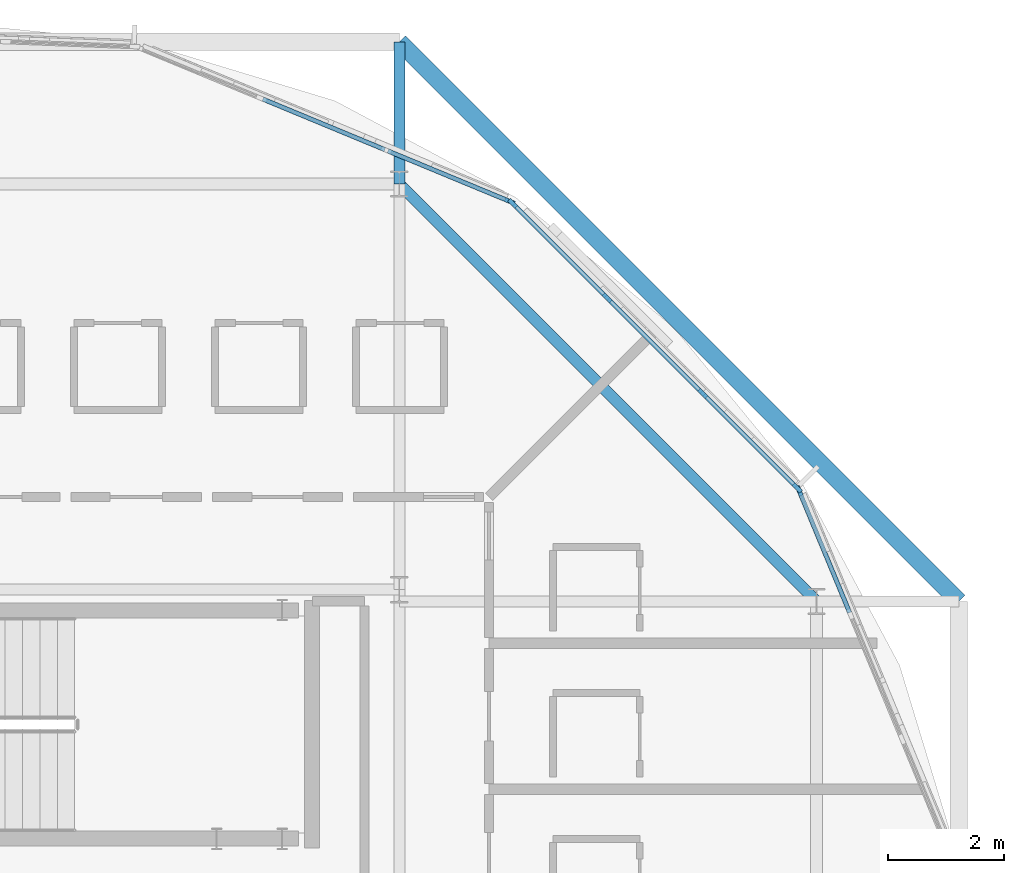
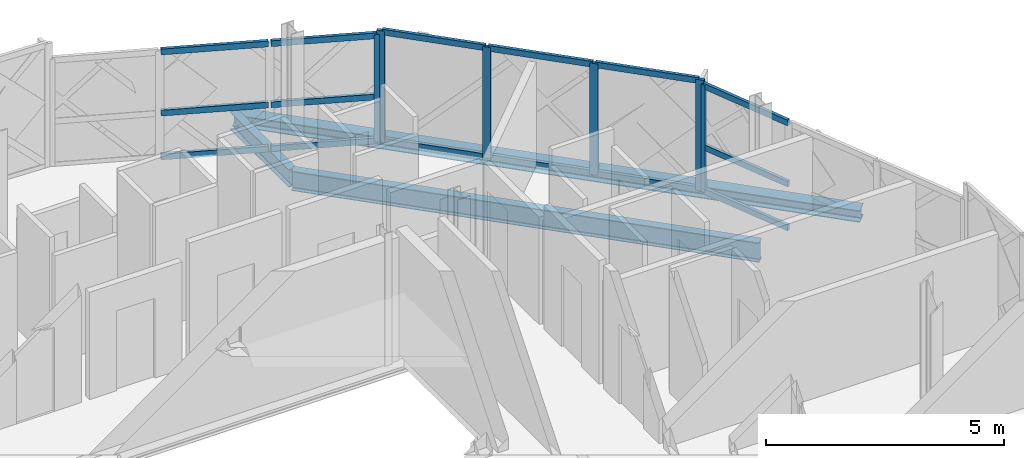
# One storey, part 10 of 24: 21 members, 3 beams, 3 elements without a shape of their own.
"""IFC4 building model written with IfcOpenShell, lengths in metres."""

import ifcopenshell
import ifcopenshell.guid

model = None  # the IFC model being written
_history = None  # IfcOwnerHistory: only IFC2X3 demands one
_inside = {}  # id of a spatial element -> (the spatial element, [elements in it])
_under = {}  # id of a project, library or spatial element -> (it, [spatial elements below it])
_declared = {}  # id of a project -> (the project, [libraries it declares])
_typed = {}  # id of a type object -> (the type object, [elements of that type])
_made_of = {}  # id of a material, layer set ... -> (it, [elements and type objects made of it])


def new_model(schema):
    """Start an empty IFC model of exactly this schema.

    Asked for "IFC4X3", IfcOpenShell would pick the latest addendum, in which some entities
    have other attributes; the version numbers below select the first issue.
    IFC2X3 requires an IfcOwnerHistory on every rooted entity: one is made here for all.
    """
    global model, _history
    if schema == "IFC4X3":
        model = ifcopenshell.file(schema_version=(4, 3, 0, 0))
    else:
        model = ifcopenshell.file(schema=schema)
    _inside.clear()
    _under.clear()
    _declared.clear()
    _typed.clear()
    _made_of.clear()
    _history = None
    if model.schema == "IFC2X3":
        org = make("IfcOrganization", Name="unknown")
        user = make(
            "IfcPersonAndOrganization",
            ThePerson=make("IfcPerson", FamilyName="unknown"),
            TheOrganization=org,
        )
        app = make(
            "IfcApplication",
            ApplicationDeveloper=org,
            Version="unknown",
            ApplicationFullName="unknown",
            ApplicationIdentifier="unknown",
        )
        _history = make(
            "IfcOwnerHistory",
            OwningUser=user,
            OwningApplication=app,
            ChangeAction="ADDED",
            CreationDate=0,
        )
    return model


def make(cls, **values):
    """One entity of the class cls with the attributes given. An attribute that is None is left unset."""
    return model.create_entity(
        cls, **{name: value for name, value in values.items() if value is not None}
    )


def rooted(cls, **values):
    """An entity with a GlobalId (a new one), such as an element, a storey or a relation."""
    return make(cls, GlobalId=ifcopenshell.guid.new(), OwnerHistory=_history, **values)


def si_unit(unit_type, name, prefix=None):
    """IfcSIUnit, for example si_unit("LENGTHUNIT", "METRE", prefix="MILLI")."""
    return make("IfcSIUnit", UnitType=unit_type, Prefix=prefix, Name=name)


def assignment(units):
    """IfcUnitAssignment: the units of a project."""
    return None if units is None else make("IfcUnitAssignment", Units=units)


def point(xyz):
    """IfcCartesianPoint."""
    return None if xyz is None else make("IfcCartesianPoint", Coordinates=xyz)


def direction(xyz):
    """IfcDirection."""
    return None if xyz is None else make("IfcDirection", DirectionRatios=xyz)


def frame(location, z_axis=None, x_axis=None):
    """IfcAxis2Placement3D, a coordinate frame: its origin and axes. An axis left out is left unset."""
    return make(
        "IfcAxis2Placement3D",
        Location=point(location),
        Axis=direction(z_axis),
        RefDirection=direction(x_axis),
    )


def frame_2d(location, x_axis=None):
    """IfcAxis2Placement2D, a coordinate frame in the plane: its origin and x axis."""
    return make(
        "IfcAxis2Placement2D", Location=point(location), RefDirection=direction(x_axis)
    )


def origin():
    """The frame at (0, 0, 0) with its axes left unset."""
    return frame((0.0, 0.0, 0.0))


def origin_2d():
    """The frame at (0, 0) in the plane with its x axis left unset."""
    return frame_2d((0.0, 0.0))


def place(relative_to, where):
    """IfcLocalPlacement: puts the frame where relative to a parent placement (None: the world)."""
    return make(
        "IfcLocalPlacement", PlacementRelTo=relative_to, RelativePlacement=where
    )


def context(
    kind, dimensions, precision=None, world=None, true_north=None, identifier=None
):
    """IfcGeometricRepresentationContext, for example the 3D "Model" context."""
    return make(
        "IfcGeometricRepresentationContext",
        ContextIdentifier=identifier,
        ContextType=kind,
        CoordinateSpaceDimension=dimensions,
        Precision=precision,
        WorldCoordinateSystem=world,
        TrueNorth=true_north,
    )


def subcontext(parent, identifier, kind, view, scale=None):
    """IfcGeometricRepresentationSubContext, for example "Body" below "Model"."""
    return make(
        "IfcGeometricRepresentationSubContext",
        ContextIdentifier=identifier,
        ContextType=kind,
        ParentContext=parent,
        TargetScale=scale,
        TargetView=view,
    )


def project(units=None, contexts=None):
    """IfcProject with its units and contexts."""
    return rooted(
        "IfcProject",
        Name="project",
        RepresentationContexts=contexts,
        UnitsInContext=assignment(units),
    )


def spatial(cls, under=None, at=None, **own):
    """A site, building, storey or space (cls), placed at a placement, below another one or the project."""
    s = rooted(cls, ObjectPlacement=at, **own)
    if under is not None:
        _under.setdefault(under.id(), (under, []))[1].append(s)
    return s


def profile(cls, at=None, kind="AREA", **sizes):
    """A parametric profile (cls). Its sizes go by their IFC names, for example OverallWidth=200.0."""
    return make(cls, ProfileType=kind, Position=at, **sizes)


def rectangle(**sizes):
    """IfcRectangleProfileDef."""
    return profile("IfcRectangleProfileDef", **sizes)


def i_section(**sizes):
    """IfcIShapeProfileDef."""
    return profile("IfcIShapeProfileDef", **sizes)


def extrude(swept, where, along, depth):
    """IfcExtrudedAreaSolid: the profile swept, set in the frame where, extruded along a direction by depth."""
    return make(
        "IfcExtrudedAreaSolid",
        SweptArea=swept,
        Position=where,
        ExtrudedDirection=direction(along),
        Depth=depth,
    )


def shape(context_of_items, identifier, shape_type, items):
    """IfcShapeRepresentation: the items that make up one representation, for example the "Body"."""
    return make(
        "IfcShapeRepresentation",
        ContextOfItems=context_of_items,
        RepresentationIdentifier=identifier,
        RepresentationType=shape_type,
        Items=items,
    )


def material(Name=None, Category=None):
    """IfcMaterial."""
    return make("IfcMaterial", Name=Name, Category=Category)


def layer(
    of_material, thickness, ventilated=None, Name=None, Category=None, Priority=None
):
    """IfcMaterialLayer: one layer of a wall or slab, of a material (None: an air gap)."""
    return make(
        "IfcMaterialLayer",
        Material=of_material,
        LayerThickness=thickness,
        IsVentilated=ventilated,
        Name=Name,
        Category=Category,
        Priority=Priority,
    )


def layer_set(layers, Name=None):
    """IfcMaterialLayerSet."""
    return make("IfcMaterialLayerSet", MaterialLayers=layers, LayerSetName=Name)


def material_profile(
    of_material, cross_section, Name=None, Category=None, Priority=None
):
    """IfcMaterialProfile: a cross section and its material."""
    return make(
        "IfcMaterialProfile",
        Name=Name,
        Material=of_material,
        Profile=cross_section,
        Priority=Priority,
        Category=Category,
    )


def profile_set(profiles, Name=None, composite=None):
    """IfcMaterialProfileSet."""
    return make(
        "IfcMaterialProfileSet",
        Name=Name,
        MaterialProfiles=profiles,
        CompositeProfile=composite,
    )


def made_of(thing, what):
    """Note that an element or type object is made of a material, layer set ...; save() writes the relation."""
    if what is not None:
        _made_of.setdefault(what.id(), (what, []))[1].append(thing)
    return thing


def type_object(cls, material=None, **own):
    """A type object (cls), such as IfcWallType, which elements share."""
    return made_of(rooted(cls, **own), material)


def element(
    cls,
    number,
    at=None,
    inside=None,
    cuts=None,
    type_object=None,
    material=None,
    context=None,
    identifier="Body",
    shape_type=None,
    held_by="IfcProductDefinitionShape",
    body=None,
    shapes=None,
    **own,
):
    """One element of the class cls, such as IfcWall. Its Tag is "e" and its number.

    at: its placement. inside: the storey or other place that contains it. cuts: it is an
    opening in that element (IfcRelVoidsElement). A single representation is given by context,
    identifier, shape_type and body (its items); several are given by shapes. held_by: the class
    of the entity that holds the representations. save() writes the other relations.
    """
    e = rooted(cls, Tag="e%d" % number, ObjectPlacement=at, **own)
    if body is not None:
        shapes = [shape(context, identifier, shape_type, body)]
    if shapes is not None:
        e.Representation = make(held_by, Representations=shapes)
    if inside is not None:
        _inside.setdefault(inside.id(), (inside, []))[1].append(e)
    if cuts is not None:
        rooted(
            "IfcRelVoidsElement", RelatingBuildingElement=cuts, RelatedOpeningElement=e
        )
    if type_object is not None:
        _typed.setdefault(type_object.id(), (type_object, []))[1].append(e)
    return made_of(e, material)


def aggregate(whole, parts):
    """IfcRelAggregates: a whole, such as a stair, and the parts it consists of."""
    return rooted("IfcRelAggregates", RelatingObject=whole, RelatedObjects=parts)


def save(model, path):
    """Write the relations noted so far, then the file.

    IfcRelAggregates (storeys below a building ...), IfcRelContainedInSpatialStructure (elements
    in a storey), IfcRelDefinesByType, IfcRelAssociatesMaterial and IfcRelDeclares: one each for
    every whole, place, type object, material and project.
    """
    for whole, parts in _under.values():
        aggregate(whole, parts)
    for where, things in _inside.values():
        rooted(
            "IfcRelContainedInSpatialStructure",
            RelatedElements=things,
            RelatingStructure=where,
        )
    for kind, things in _typed.values():
        rooted("IfcRelDefinesByType", RelatedObjects=things, RelatingType=kind)
    for what, things in _made_of.values():
        rooted("IfcRelAssociatesMaterial", RelatedObjects=things, RelatingMaterial=what)
    for by, libraries in _declared.values():
        rooted("IfcRelDeclares", RelatingContext=by, RelatedDefinitions=libraries)
    model.write(path)


model = new_model("IFC4")

# Units and contexts
model_context = context("Model", 3, precision=1e-05, world=origin(), true_north=direction((0.0, 1.0)))
body_context = subcontext(model_context, "Body", "Model", "MODEL_VIEW")
ifc_project = project(units=[si_unit("LENGTHUNIT", "METRE"), si_unit("AREAUNIT", "SQUARE_METRE"), si_unit("VOLUMEUNIT", "CUBIC_METRE"), si_unit("PLANEANGLEUNIT", "RADIAN"), si_unit("MASSUNIT", "GRAM", prefix="KILO")], contexts=[model_context])

# Site, building, storey
site_placement = place(None, origin())
site = spatial("IfcSite", under=ifc_project, at=site_placement, CompositionType="ELEMENT")
building_placement = place(site_placement, origin())
building = spatial("IfcBuilding", under=site, at=building_placement, Name="Zevrakil Square Congress Hotel", CompositionType="ELEMENT")
storey_placement = place(building_placement, frame((0.0, 0.0, 31.699951171875)))
storey = spatial("IfcBuildingStorey", under=building, at=storey_placement, Name="L09", CompositionType="ELEMENT", Elevation=31.699951171875)

# Beams
ifc_material_1 = material(Name="Steel S355", Category="steel")
ifc_material_profile_1 = material_profile(ifc_material_1, i_section(OverallWidth=0.18994140625, OverallDepth=0.449951171875, WebThickness=0.009521484375, FlangeThickness=0.0146484375, FilletRadius=0.02099609375, at=origin_2d()), Name="IPE 450")
ifc_profile_set_1 = profile_set([ifc_material_profile_1], Name="Steel S355")
beam_type_1 = type_object("IfcBeamType", Name="BM-IPE450", PredefinedType="BEAM", material=ifc_profile_set_1)
beam_1_placement = place(storey_placement, frame((156.0, 45.60009765625, -0.449951171875), z_axis=(0.0, 1.0, 0.0), x_axis=(-1.0, 0.0, 0.0)))
element("IfcBeam", 1, at=beam_1_placement, inside=storey, type_object=beam_type_1, Name="L09 drum radial edge cantilever beam DRO-09", PredefinedType="BEAM", context=body_context, shape_type="SweptSolid", body=[
    extrude(i_section(OverallWidth=0.18994140625, OverallDepth=0.449951171875, WebThickness=0.009521484375, FlangeThickness=0.0146484375, FilletRadius=0.02099609375, at=origin_2d()), origin(), (0.0, 0.0, 1.0), 2.454833984375),
])
ifc_material_2 = material(Name="Steel S355", Category="steel")
ifc_material_profile_2 = material_profile(ifc_material_2, i_section(OverallWidth=0.199951171875, OverallDepth=0.5, WebThickness=0.01025390625, FlangeThickness=0.01611328125, FilletRadius=0.02099609375, at=origin_2d()), Name="IPE 500")
ifc_profile_set_2 = profile_set([ifc_material_profile_2], Name="Steel S355")
beam_type_2 = type_object("IfcBeamType", Name="BM-IPE500", PredefinedType="BEAM", material=ifc_profile_set_2)
beam_2_placement = place(storey_placement, frame((163.199951171875, 38.39990234375, -0.474853515625), z_axis=(-0.70709479277, 0.7071187694, 0.0), x_axis=(-0.7071187694, -0.70709479277, 0.0)))
element("IfcBeam", 2, at=beam_2_placement, inside=storey, type_object=beam_type_2, Name="L09 drum ring girder DRB-08", PredefinedType="BEAM", context=body_context, shape_type="SweptSolid", body=[
    extrude(i_section(OverallWidth=0.199951171875, OverallDepth=0.5, WebThickness=0.01025390625, FlangeThickness=0.01611328125, FilletRadius=0.02099609375, at=origin_2d()), origin(), (0.0, 0.0, 1.0), 10.182373046875),
])

# Curtain wall, members
ifc_material_3 = material(Name="Aluminium Anodised Bronze", Category="aluminium")
ifc_layer = layer(ifc_material_3, 0.179931640625)
ifc_layer_set = layer_set([ifc_layer], Name="Aluminium Anodised Bronze")
curtain_wall_type = type_object("IfcCurtainWallType", Name="CW-L09-720", PredefinedType="USERDEFINED", material=ifc_layer_set)
curtain_wall_1_placement = place(storey_placement, origin())
curtain_wall_1 = element("IfcCurtainWall", 3, at=curtain_wall_1_placement, inside=storey, type_object=curtain_wall_type, Name="L09 diamond curtain wall CW-L09-0258", ObjectType="GLAZED CURTAIN WALL", PredefinedType="USERDEFINED")
ifc_material_4 = material(Name="Aluminium Anodised Bronze", Category="aluminium")
ifc_material_profile_3 = material_profile(ifc_material_4, rectangle(XDim=0.074951171875, YDim=0.14990234375, at=origin_2d()), Name="ALU 75x150")
ifc_profile_set_3 = profile_set([ifc_material_profile_3], Name="Aluminium Anodised Bronze")
member_type_1 = type_object("IfcMemberType", Name="CWM-ALU75x150", PredefinedType="USERDEFINED", material=ifc_profile_set_3)
member_1_placement = place(storey_placement, frame((163.771240234375, 38.20556640625, 0.030029296875), z_axis=(-0.382761541363, 0.923847174836, 0.0), x_axis=(-0.923847174836, -0.382761541363, 0.0)))
member_1 = element("IfcMember", 4, at=member_1_placement, type_object=member_type_1, Name="CW-106 transom 3.1", ObjectType="TRANSOM", PredefinedType="USERDEFINED", context=body_context, shape_type="SweptSolid", body=[
    extrude(rectangle(XDim=0.074951171875, YDim=0.14990234375, at=origin_2d()), origin(), (0.0, 0.0, 1.0), 2.2451171875),
])
member_2_placement = place(storey_placement, frame((163.771240234375, 38.20556640625, 1.1572265625), z_axis=(-0.382761541363, 0.923847174836, 0.0), x_axis=(-0.923847174836, -0.382761541363, 0.0)))
member_2 = element("IfcMember", 5, at=member_2_placement, type_object=member_type_1, Name="CW-106 transom 3.2", ObjectType="TRANSOM", PredefinedType="USERDEFINED", context=body_context, shape_type="SweptSolid", body=[
    extrude(rectangle(XDim=0.074951171875, YDim=0.14990234375, at=origin_2d()), origin(), (0.0, 0.0, 1.0), 2.2451171875),
])
member_3_placement = place(storey_placement, frame((163.771240234375, 38.20556640625, 2.72509765625), z_axis=(-0.382761541363, 0.923847174836, 0.0), x_axis=(-0.923847174836, -0.382761541363, 0.0)))
member_3 = element("IfcMember", 6, at=member_3_placement, type_object=member_type_1, Name="CW-106 transom 3.3", ObjectType="TRANSOM", PredefinedType="USERDEFINED", context=body_context, shape_type="SweptSolid", body=[
    extrude(rectangle(XDim=0.074951171875, YDim=0.14990234375, at=origin_2d()), origin(), (0.0, 0.0, 1.0), 2.2451171875),
])

curtain_wall_2_placement = place(storey_placement, origin())
curtain_wall_2 = element("IfcCurtainWall", 7, at=curtain_wall_2_placement, inside=storey, type_object=curtain_wall_type, Name="L09 diamond curtain wall CW-L09-0259", ObjectType="GLAZED CURTAIN WALL", PredefinedType="USERDEFINED")
member_4_placement = place(storey_placement, frame((162.8466796875, 40.377685546875, 0.030029296875), z_axis=(-0.707106781187, 0.707106781187, 0.0), x_axis=(-0.707106781187, -0.707106781187, 0.0)))
member_4 = element("IfcMember", 8, at=member_4_placement, type_object=member_type_1, Name="CW-106 transom 1.1", ObjectType="TRANSOM", PredefinedType="USERDEFINED", context=body_context, shape_type="SweptSolid", body=[
    extrude(rectangle(XDim=0.074951171875, YDim=0.14990234375, at=origin_2d()), origin(), (0.0, 0.0, 1.0), 2.245361328125),
])
member_5_placement = place(storey_placement, frame((162.8466796875, 40.377685546875, 2.824951171875), z_axis=(-0.707106781187, 0.707106781187, 0.0), x_axis=(-0.707106781187, -0.707106781187, 0.0)))
member_5 = element("IfcMember", 9, at=member_5_placement, type_object=member_type_1, Name="CW-106 transom 1.2", ObjectType="TRANSOM", PredefinedType="USERDEFINED", context=body_context, shape_type="SweptSolid", body=[
    extrude(rectangle(XDim=0.074951171875, YDim=0.14990234375, at=origin_2d()), origin(), (0.0, 0.0, 1.0), 2.245361328125),
])
member_6_placement = place(storey_placement, frame((161.216552734375, 42.0078125, 0.030029296875), z_axis=(-0.707160433205, 0.707053125097, 0.0), x_axis=(-0.707053125097, -0.707160433205, 0.0)))
member_6 = element("IfcMember", 10, at=member_6_placement, type_object=member_type_1, Name="CW-106 transom 2.1", ObjectType="TRANSOM", PredefinedType="USERDEFINED", context=body_context, shape_type="SweptSolid", body=[
    extrude(rectangle(XDim=0.074951171875, YDim=0.14990234375, at=origin_2d()), origin(), (0.0, 0.0, 1.0), 2.275146484375),
])
member_7_placement = place(storey_placement, frame((161.216552734375, 42.0078125, 2.824951171875), z_axis=(-0.707160433205, 0.707053125097, 0.0), x_axis=(-0.707053125097, -0.707160433205, 0.0)))
member_7 = element("IfcMember", 11, at=member_7_placement, type_object=member_type_1, Name="CW-106 transom 2.2", ObjectType="TRANSOM", PredefinedType="USERDEFINED", context=body_context, shape_type="SweptSolid", body=[
    extrude(rectangle(XDim=0.074951171875, YDim=0.14990234375, at=origin_2d()), origin(), (0.0, 0.0, 1.0), 2.275146484375),
])
member_8_placement = place(storey_placement, frame((159.5654296875, 43.658935546875, 0.030029296875), z_axis=(-0.707106781187, 0.707106781187, 0.0), x_axis=(-0.707106781187, -0.707106781187, 0.0)))
member_8 = element("IfcMember", 12, at=member_8_placement, type_object=member_type_1, Name="CW-106 transom 3.1", ObjectType="TRANSOM", PredefinedType="USERDEFINED", context=body_context, shape_type="SweptSolid", body=[
    extrude(rectangle(XDim=0.074951171875, YDim=0.14990234375, at=origin_2d()), origin(), (0.0, 0.0, 1.0), 2.245361328125),
])
member_9_placement = place(storey_placement, frame((159.5654296875, 43.658935546875, 2.824951171875), z_axis=(-0.707106781187, 0.707106781187, 0.0), x_axis=(-0.707106781187, -0.707106781187, 0.0)))
member_9 = element("IfcMember", 13, at=member_9_placement, type_object=member_type_1, Name="CW-106 transom 3.2", ObjectType="TRANSOM", PredefinedType="USERDEFINED", context=body_context, shape_type="SweptSolid", body=[
    extrude(rectangle(XDim=0.074951171875, YDim=0.14990234375, at=origin_2d()), origin(), (0.0, 0.0, 1.0), 2.245361328125),
])

curtain_wall_3_placement = place(storey_placement, origin())
curtain_wall_3 = element("IfcCurtainWall", 14, at=curtain_wall_3_placement, inside=storey, type_object=curtain_wall_type, Name="L09 diamond curtain wall CW-L09-0260", ObjectType="GLAZED CURTAIN WALL", PredefinedType="USERDEFINED")
member_10_placement = place(storey_placement, frame((157.8798828125, 45.31201171875, 0.030029296875), z_axis=(-0.923901544851, 0.382630285552, 0.0), x_axis=(-0.382630285552, -0.923901544851, 0.0)))
member_10 = element("IfcMember", 15, at=member_10_placement, type_object=member_type_1, Name="CW-106 transom 1.1", ObjectType="TRANSOM", PredefinedType="USERDEFINED", context=body_context, shape_type="SweptSolid", body=[
    extrude(rectangle(XDim=0.074951171875, YDim=0.14990234375, at=origin_2d()), origin(), (0.0, 0.0, 1.0), 2.245361328125),
])
member_11_placement = place(storey_placement, frame((157.8798828125, 45.31201171875, 1.1572265625), z_axis=(-0.923901544851, 0.382630285552, 0.0), x_axis=(-0.382630285552, -0.923901544851, 0.0)))
member_11 = element("IfcMember", 16, at=member_11_placement, type_object=member_type_1, Name="CW-106 transom 1.2", ObjectType="TRANSOM", PredefinedType="USERDEFINED", context=body_context, shape_type="SweptSolid", body=[
    extrude(rectangle(XDim=0.074951171875, YDim=0.14990234375, at=origin_2d()), origin(), (0.0, 0.0, 1.0), 2.245361328125),
])
member_12_placement = place(storey_placement, frame((157.8798828125, 45.31201171875, 2.72509765625), z_axis=(-0.923901544851, 0.382630285552, 0.0), x_axis=(-0.382630285552, -0.923901544851, 0.0)))
member_12 = element("IfcMember", 17, at=member_12_placement, type_object=member_type_1, Name="CW-106 transom 1.3", ObjectType="TRANSOM", PredefinedType="USERDEFINED", context=body_context, shape_type="SweptSolid", body=[
    extrude(rectangle(XDim=0.074951171875, YDim=0.14990234375, at=origin_2d()), origin(), (0.0, 0.0, 1.0), 2.245361328125),
])
member_13_placement = place(storey_placement, frame((155.75, 46.194091796875, 0.030029296875), z_axis=(-0.923855963606, 0.38274032778, 0.0), x_axis=(-0.38274032778, -0.923855963606, 0.0)))
member_13 = element("IfcMember", 18, at=member_13_placement, type_object=member_type_1, Name="CW-106 transom 2.1", ObjectType="TRANSOM", PredefinedType="USERDEFINED", context=body_context, shape_type="SweptSolid", body=[
    extrude(rectangle(XDim=0.074951171875, YDim=0.14990234375, at=origin_2d()), origin(), (0.0, 0.0, 1.0), 2.275390625),
])
member_14_placement = place(storey_placement, frame((155.75, 46.194091796875, 1.1572265625), z_axis=(-0.923855963606, 0.38274032778, 0.0), x_axis=(-0.38274032778, -0.923855963606, 0.0)))
member_14 = element("IfcMember", 19, at=member_14_placement, type_object=member_type_1, Name="CW-106 transom 2.2", ObjectType="TRANSOM", PredefinedType="USERDEFINED", context=body_context, shape_type="SweptSolid", body=[
    extrude(rectangle(XDim=0.074951171875, YDim=0.14990234375, at=origin_2d()), origin(), (0.0, 0.0, 1.0), 2.275390625),
])
member_15_placement = place(storey_placement, frame((155.75, 46.194091796875, 2.72509765625), z_axis=(-0.923855963606, 0.38274032778, 0.0), x_axis=(-0.38274032778, -0.923855963606, 0.0)))
member_15 = element("IfcMember", 20, at=member_15_placement, type_object=member_type_1, Name="CW-106 transom 2.3", ObjectType="TRANSOM", PredefinedType="USERDEFINED", context=body_context, shape_type="SweptSolid", body=[
    extrude(rectangle(XDim=0.074951171875, YDim=0.14990234375, at=origin_2d()), origin(), (0.0, 0.0, 1.0), 2.275390625),
])

# Member
ifc_material_5 = material(Name="Aluminium Anodised Bronze", Category="aluminium")
ifc_material_profile_4 = material_profile(ifc_material_5, rectangle(XDim=0.074951171875, YDim=0.179931640625, at=origin_2d()), Name="ALU 75x180")
ifc_profile_set_4 = profile_set([ifc_material_profile_4], Name="Aluminium Anodised Bronze")
member_type_2 = type_object("IfcMemberType", Name="CWM-ALU75x180", PredefinedType="MULLION", material=ifc_profile_set_4)
member_16_placement = place(storey_placement, frame((162.900390625, 40.3076171875, 0.0), z_axis=(0.0, 0.0, 1.0), x_axis=(-0.92387939537, -0.382683763454, 0.0)))
member_16 = element("IfcMember", 21, at=member_16_placement, type_object=member_type_2, Name="CW-106 mullion 4", PredefinedType="MULLION", context=body_context, shape_type="SweptSolid", body=[
    extrude(rectangle(XDim=0.074951171875, YDim=0.179931640625, at=origin_2d()), origin(), (0.0, 0.0, 1.0), 2.755126953125),
])

aggregate(curtain_wall_1, [member_16, member_1, member_2, member_3])

member_17_placement = place(storey_placement, frame((162.86767578125, 40.3564453125, 0.0), z_axis=(0.0, 0.0, 1.0), x_axis=(-0.707106781187, -0.707106781187, 0.0)))
member_17 = element("IfcMember", 22, at=member_17_placement, type_object=member_type_2, Name="CW-106 mullion 1", PredefinedType="MULLION", context=body_context, shape_type="SweptSolid", body=[
    extrude(rectangle(XDim=0.074951171875, YDim=0.179931640625, at=origin_2d()), origin(), (0.0, 0.0, 1.0), 2.85498046875),
])

member_18_placement = place(storey_placement, frame((161.23779296875, 41.986572265625, 0.0), z_axis=(0.0, 0.0, 1.0), x_axis=(-0.707106781187, -0.707106781187, 0.0)))
member_18 = element("IfcMember", 23, at=member_18_placement, type_object=member_type_2, Name="CW-106 mullion 2", PredefinedType="MULLION", context=body_context, shape_type="SweptSolid", body=[
    extrude(rectangle(XDim=0.074951171875, YDim=0.179931640625, at=origin_2d()), origin(), (0.0, 0.0, 1.0), 2.85498046875),
])

member_19_placement = place(storey_placement, frame((159.58642578125, 43.6376953125, 0.0), z_axis=(0.0, 0.0, 1.0), x_axis=(-0.707106781187, -0.707106781187, 0.0)))
member_19 = element("IfcMember", 24, at=member_19_placement, type_object=member_type_2, Name="CW-106 mullion 3", PredefinedType="MULLION", context=body_context, shape_type="SweptSolid", body=[
    extrude(rectangle(XDim=0.074951171875, YDim=0.179931640625, at=origin_2d()), origin(), (0.0, 0.0, 1.0), 2.85498046875),
])

member_20_placement = place(storey_placement, frame((157.95654296875, 45.267822265625, 0.0), z_axis=(0.0, 0.0, 1.0), x_axis=(-0.707106781187, -0.707106781187, 0.0)))
member_20 = element("IfcMember", 25, at=member_20_placement, type_object=member_type_2, Name="CW-106 mullion 4", PredefinedType="MULLION", context=body_context, shape_type="SweptSolid", body=[
    extrude(rectangle(XDim=0.074951171875, YDim=0.179931640625, at=origin_2d()), origin(), (0.0, 0.0, 1.0), 2.85498046875),
])

aggregate(curtain_wall_2, [member_17, member_18, member_19, member_20, member_4, member_5, member_6, member_7, member_8, member_9])

member_21_placement = place(storey_placement, frame((157.907470703125, 45.300537109375, 0.0), z_axis=(0.0, 0.0, 1.0), x_axis=(-0.382683763454, -0.92387939537, 0.0)))
member_21 = element("IfcMember", 26, at=member_21_placement, type_object=member_type_2, Name="CW-106 mullion 1", PredefinedType="MULLION", context=body_context, shape_type="SweptSolid", body=[
    extrude(rectangle(XDim=0.074951171875, YDim=0.179931640625, at=origin_2d()), origin(), (0.0, 0.0, 1.0), 2.755126953125),
])

aggregate(curtain_wall_3, [member_21, member_10, member_11, member_12, member_13, member_14, member_15])

# Beam
ifc_material_6 = material(Name="Steel S355", Category="steel")
ifc_material_profile_5 = material_profile(ifc_material_6, i_section(OverallWidth=0.300048828125, OverallDepth=0.300048828125, WebThickness=0.010986328125, FlangeThickness=0.01904296875, FilletRadius=0.027099609375, at=origin_2d()), Name="HEB 300")
ifc_profile_set_5 = profile_set([ifc_material_profile_5], Name="Steel S355")
beam_type_3 = type_object("IfcBeamType", Name="SPD-RHS250", PredefinedType="SPANDREL", material=ifc_profile_set_5)
beam_3_placement = place(storey_placement, frame((165.655029296875, 38.39990234375, -0.375), z_axis=(-0.707106781187, 0.707106781187, 0.0), x_axis=(-0.707106781187, -0.707106781187, 0.0)))
element("IfcBeam", 27, at=beam_3_placement, inside=storey, type_object=beam_type_3, Name="L09 drum edge spandrel beam DSP-07", PredefinedType="SPANDREL", context=body_context, shape_type="SweptSolid", body=[
    extrude(i_section(OverallWidth=0.300048828125, OverallDepth=0.300048828125, WebThickness=0.010986328125, FlangeThickness=0.01904296875, FilletRadius=0.027099609375, at=origin_2d()), origin(), (0.0, 0.0, 1.0), 13.654296875),
])

save(model, "model.ifc")
